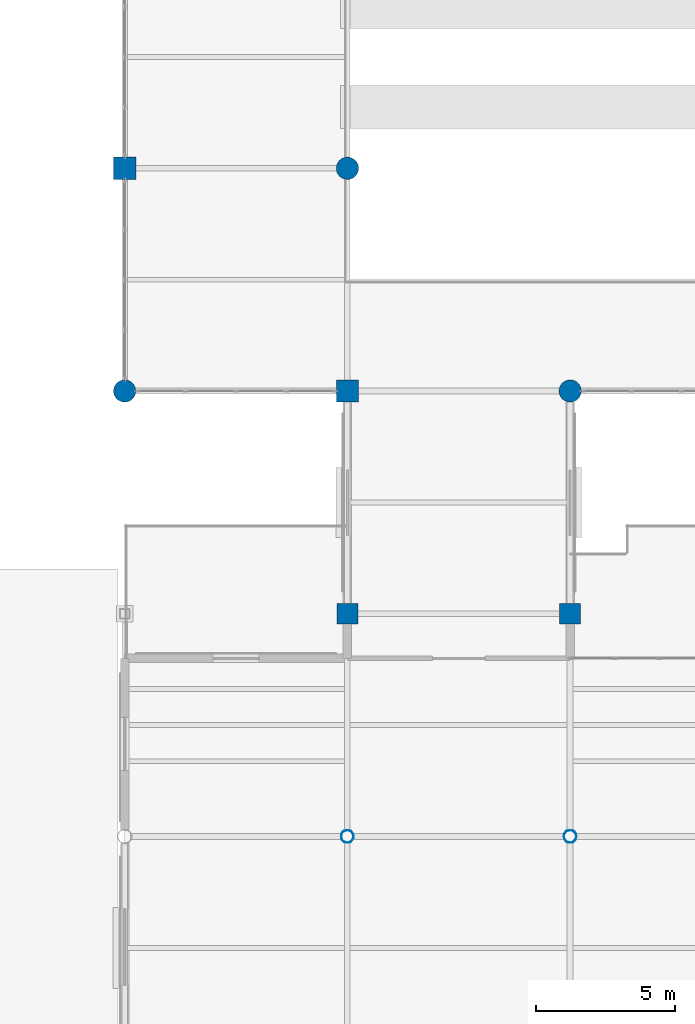
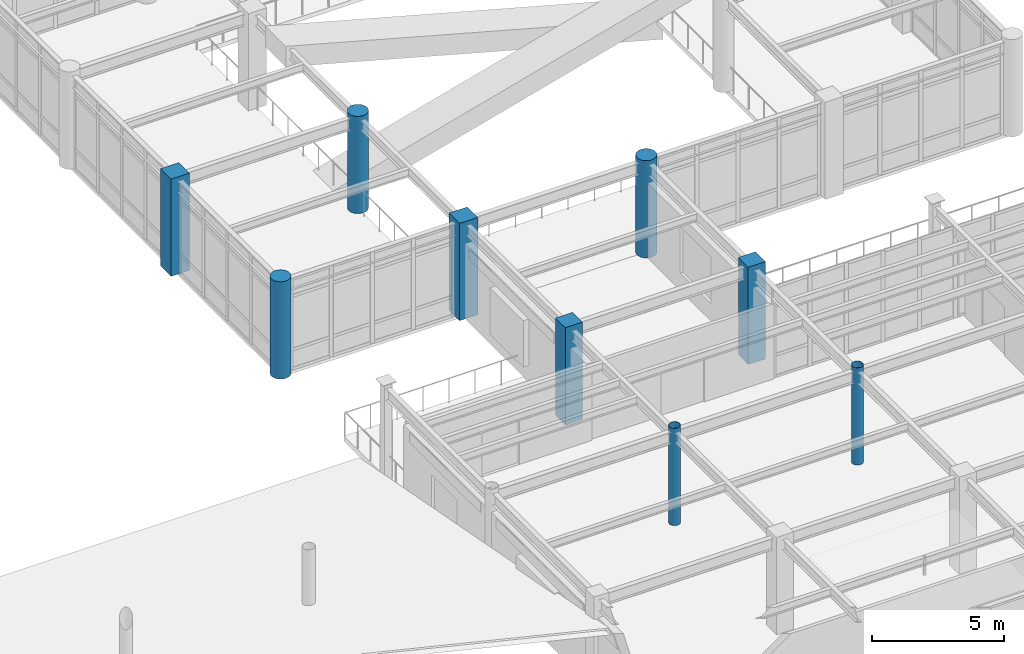
# One storey, part 3 of 111: 9 columns.
"""IFC4 building model written with IfcOpenShell, lengths in metres."""

from ifc_helpers import new_model, si_unit, direction, frame, origin, origin_2d, place, context, subcontext, project, spatial, rectangle, circle, hollow_circle, extrude, material, material_profile, profile_set, type_object, element, save


model = new_model("IFC4")

# Units and contexts
model_context = context("Model", 3, precision=1e-05, world=origin(), true_north=direction((0.0, 1.0)))
body_context = subcontext(model_context, "Body", "Model", "MODEL_VIEW")
ifc_project = project(units=[si_unit("LENGTHUNIT", "METRE"), si_unit("AREAUNIT", "SQUARE_METRE"), si_unit("VOLUMEUNIT", "CUBIC_METRE"), si_unit("PLANEANGLEUNIT", "RADIAN"), si_unit("MASSUNIT", "GRAM", prefix="KILO")], contexts=[model_context])

# Site, building, storey
site_placement = place(None, origin())
site = spatial("IfcSite", under=ifc_project, at=site_placement, CompositionType="ELEMENT")
building_placement = place(site_placement, origin())
building = spatial("IfcBuilding", under=site, at=building_placement, Name="Solmirada Galleria", CompositionType="ELEMENT")
storey_placement = place(building_placement, frame((0.0, 0.0, 10.39990234375)))
storey = spatial("IfcBuildingStorey", under=building, at=storey_placement, Name="L02", CompositionType="ELEMENT", Elevation=10.39990234375)

# Columns
ifc_material_1 = material(Name="Steel S355 / ASTM A500 Grade C", Category="steel")
ifc_material_profile_1 = material_profile(ifc_material_1, hollow_circle(Radius=0.228515625, WallThickness=0.01171875, at=origin_2d()), Name="HSS18.000X0.500")
ifc_profile_set_1 = profile_set([ifc_material_profile_1], Name="Steel S355 / ASTM A500 Grade C")
column_type_1 = type_object("IfcColumnType", Name="COL-CHS18", PredefinedType="COLUMN", material=ifc_profile_set_1)
for number, where, z_axis, x_axis, name in (
    (1, (88.0, 32.0, 0.0), (0.0, 0.0, 1.0), (1.0, 0.0, 0.0), "Structural column L02-0497"),
    (2, (96.0, 32.0, 0.0), (0.0, 0.0, 1.0), (1.0, 0.0, 0.0), "Structural column L02-0619"),
):
    element("IfcColumn", number, at=place(storey_placement, frame(where, z_axis=z_axis, x_axis=x_axis)), inside=storey, type_object=column_type_1, Name=name, PredefinedType="COLUMN", context=body_context, shape_type="SweptSolid", body=[
        extrude(hollow_circle(Radius=0.228515625, WallThickness=0.01171875, at=origin_2d()), origin(), (0.0, 0.0, 1.0), 4.5),
    ])
ifc_material_2 = material(Name="Concrete C40/50", Category="concrete")
ifc_material_profile_2 = material_profile(ifc_material_2, circle(Radius=0.39990234375, at=origin_2d()), Name="RCCOL800")
ifc_profile_set_2 = profile_set([ifc_material_profile_2], Name="Concrete C40/50")
column_type_2 = type_object("IfcColumnType", Name="COL-CIR800", PredefinedType="COLUMN", material=ifc_profile_set_2)
for number, where, z_axis, x_axis, name in (
    (3, (80.0, 48.0, 0.0), (0.0, 0.0, 1.0), (1.0, 0.0, 0.0), "Structural column L02-0390"),
    (4, (88.0, 56.0, 0.0), (0.0, 0.0, 1.0), (1.0, 0.0, 0.0), "Structural column L02-0522"),
    (5, (96.0, 48.0, 0.0), (0.0, 0.0, 1.0), (1.0, 0.0, 0.0), "Structural column L02-0635"),
):
    element("IfcColumn", number, at=place(storey_placement, frame(where, z_axis=z_axis, x_axis=x_axis)), inside=storey, type_object=column_type_2, Name=name, PredefinedType="COLUMN", context=body_context, shape_type="SweptSolid", body=[
        extrude(circle(Radius=0.39990234375, at=origin_2d()), origin(), (0.0, 0.0, 1.0), 4.5),
    ])
ifc_material_profile_3 = material_profile(ifc_material_2, rectangle(XDim=0.75, YDim=0.75, at=origin_2d()), Name="RC750X750")
ifc_profile_set_3 = profile_set([ifc_material_profile_3], Name="Concrete C40/50")
column_type_3 = type_object("IfcColumnType", Name="COL-RC750", PredefinedType="COLUMN", material=ifc_profile_set_3)
for number, where, z_axis, x_axis, name in (
    (6, (88.0, 40.0, 0.0), (0.0, 0.0, 1.0), (1.0, 0.0, 0.0), "Structural column L02-0505"),
    (7, (96.0, 40.0, 0.0), (0.0, 0.0, 1.0), (1.0, 0.0, 0.0), "Structural column L02-0627"),
):
    element("IfcColumn", number, at=place(storey_placement, frame(where, z_axis=z_axis, x_axis=x_axis)), inside=storey, type_object=column_type_3, Name=name, PredefinedType="COLUMN", context=body_context, shape_type="SweptSolid", body=[
        extrude(rectangle(XDim=0.75, YDim=0.75, at=origin_2d()), origin(), (0.0, 0.0, 1.0), 4.5),
    ])
ifc_material_profile_4 = material_profile(ifc_material_2, rectangle(XDim=0.800048828125, YDim=0.800048828125, at=origin_2d()), Name="RC800X800")
ifc_profile_set_4 = profile_set([ifc_material_profile_4], Name="Concrete C40/50")
column_type_4 = type_object("IfcColumnType", Name="COL-RC800", PredefinedType="COLUMN", material=ifc_profile_set_4)
for number, where, z_axis, x_axis, name in (
    (8, (80.0, 56.0, 0.0), (0.0, 0.0, 1.0), (1.0, 0.0, 0.0), "Structural column L02-0399"),
    (9, (88.0, 48.0, 0.0), (0.0, 0.0, 1.0), (1.0, 0.0, 0.0), "Structural column L02-0513"),
):
    element("IfcColumn", number, at=place(storey_placement, frame(where, z_axis=z_axis, x_axis=x_axis)), inside=storey, type_object=column_type_4, Name=name, PredefinedType="COLUMN", context=body_context, shape_type="SweptSolid", body=[
        extrude(rectangle(XDim=0.800048828125, YDim=0.800048828125, at=origin_2d()), origin(), (0.0, 0.0, 1.0), 4.5),
    ])

save(model, "model.ifc")
